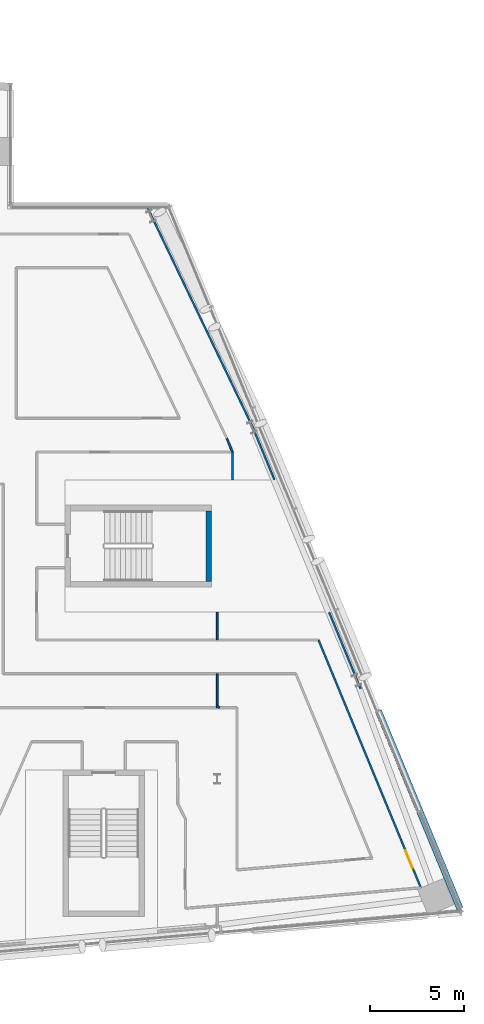
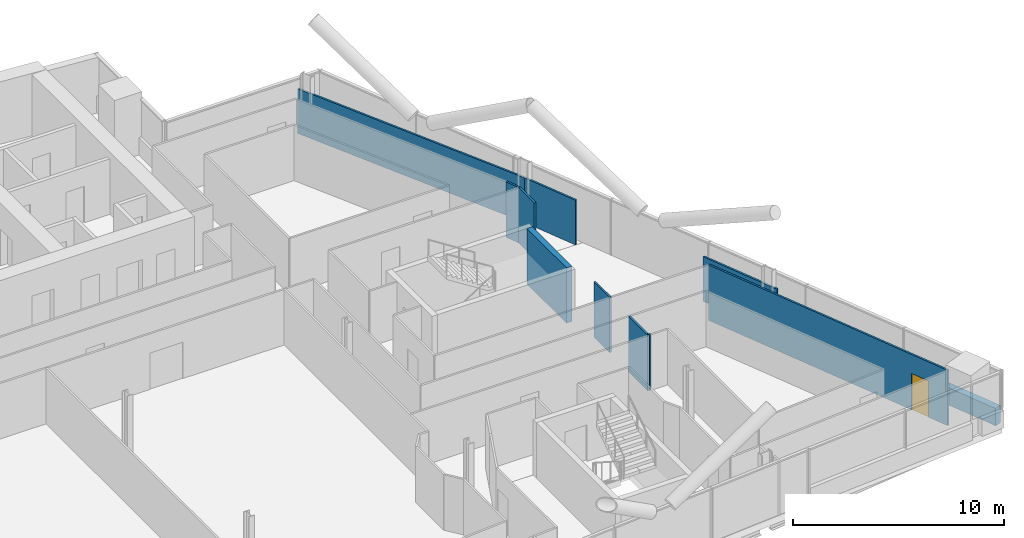
# One storey, part 20 of 28: 11 walls, 1 door, 1 opening.
"""IFC4 building model written with IfcOpenShell, lengths in metres."""

from ifc_helpers import new_model, si_unit, direction, frame, frame_2d, origin, place, context, subcontext, project, spatial, rectangle, extrude, material, layer, layer_set, type_object, element, fill, save


model = new_model("IFC4")

# Units and contexts
model_context = context("Model", 3, precision=1e-05, world=origin(), true_north=direction((0.0, 1.0)))
body_context = subcontext(model_context, "Body", "Model", "MODEL_VIEW")
ifc_project = project(units=[si_unit("LENGTHUNIT", "METRE"), si_unit("AREAUNIT", "SQUARE_METRE"), si_unit("VOLUMEUNIT", "CUBIC_METRE"), si_unit("PLANEANGLEUNIT", "RADIAN"), si_unit("MASSUNIT", "GRAM", prefix="KILO")], contexts=[model_context])

# Site, building, storey
site_placement = place(None, origin())
site = spatial("IfcSite", under=ifc_project, at=site_placement, CompositionType="ELEMENT")
building_placement = place(site_placement, origin())
building = spatial("IfcBuilding", under=site, at=building_placement, Name="Wharfspan Tower", CompositionType="ELEMENT")
storey_placement = place(building_placement, frame((0.0, 0.0, 187.899902)))
storey = spatial("IfcBuildingStorey", under=building, at=storey_placement, Name="L46", CompositionType="ELEMENT", Elevation=187.899902)

# Walls
ifc_material_1 = material(Name="Gypsum board on steel studs", Category="steel")
ifc_layer_1 = layer(ifc_material_1, 0.100098)
ifc_layer_set_1 = layer_set([ifc_layer_1], Name="Gypsum board on steel studs")
wall_type_1 = type_object("IfcWallType", Name="Compartment wall 100 EI 60", PredefinedType="PARTITIONING", material=ifc_layer_set_1)
wall_1_placement = place(storey_placement, frame((72.0, 15.284912, 0.0), z_axis=(0.0, 0.0, 1.0), x_axis=(0.0, 1.0, 0.0)))
element("IfcWall", 1, at=wall_1_placement, inside=storey, type_object=wall_type_1, Name="Partition L46.w115", PredefinedType="PARTITIONING", context=body_context, shape_type="SweptSolid", body=[
    extrude(rectangle(XDim=1.815186, YDim=0.100098, at=frame_2d((0.907715, 0.0))), origin(), (0.0, 0.0, 1.0), 3.200195),
])
wall_2_placement = place(storey_placement, frame((72.0, 18.899902, 0.0), z_axis=(0.0, 0.0, 1.0), x_axis=(0.0, 1.0, 0.0)))
element("IfcWall", 2, at=wall_2_placement, inside=storey, type_object=wall_type_1, Name="Partition L46.w116", PredefinedType="PARTITIONING", context=body_context, shape_type="SweptSolid", body=[
    extrude(rectangle(XDim=1.47998, YDim=0.100098, at=frame_2d((0.73999, 0.0))), origin(), (0.0, 0.0, 1.0), 3.200195),
])
wall_3_placement = place(storey_placement, frame((72.110107, 15.284912, 0.0), z_axis=(0.0, 0.0, 1.0), x_axis=(-0.675728, 0.737158, 0.0)))
element("IfcWall", 3, at=wall_3_placement, inside=storey, type_object=wall_type_1, Name="Partition L46.w118", PredefinedType="PARTITIONING", context=body_context, shape_type="SweptSolid", body=[
    extrude(rectangle(XDim=0.162842, YDim=0.100098, at=frame_2d((0.081543, 0.0))), origin(), (0.0, 0.0, 1.0), 3.200195),
])
wall_4_placement = place(storey_placement, frame((72.810059, 28.899902, 0.0), z_axis=(0.0, 0.0, 1.0), x_axis=(-0.379219, 0.925307, 0.0)))
element("IfcWall", 4, at=wall_4_placement, inside=storey, type_object=wall_type_1, Name="Partition L46.w121", PredefinedType="PARTITIONING", context=body_context, shape_type="SweptSolid", body=[
    extrude(rectangle(XDim=0.77832, YDim=0.100098, at=frame_2d((0.38916, 0.0))), origin(), (0.0, 0.0, 1.0), 3.200195),
])
wall_5_placement = place(storey_placement, frame((72.810059, 27.419922, 0.0), z_axis=(0.0, 0.0, 1.0), x_axis=(0.0, 1.0, 0.0)))
element("IfcWall", 5, at=wall_5_placement, inside=storey, type_object=wall_type_1, Name="Partition L46.w122", PredefinedType="PARTITIONING", context=body_context, shape_type="SweptSolid", body=[
    extrude(rectangle(XDim=1.47998, YDim=0.100098, at=frame_2d((0.73999, 0.0))), origin(), (0.0, 0.0, 1.0), 3.200195),
])

# Wall, opening, door
wall_6_placement = place(storey_placement, frame((82.834961, 5.715088, 0.0), z_axis=(0.0, 0.0, 1.0), x_axis=(-0.381709, 0.924279, 0.0)))
wall_6 = element("IfcWall", 6, at=wall_6_placement, inside=storey, type_object=wall_type_1, Name="Partition L46.w129", PredefinedType="PARTITIONING", context=body_context, shape_type="SweptSolid", body=[
    extrude(rectangle(XDim=14.264893, YDim=0.100098, at=frame_2d((7.132324, 0.0))), origin(), (0.0, 0.0, 1.0), 3.200195),
])
opening_placement = place(wall_6_placement, frame((1.145996, 0.0, 0.0)))
opening = element("IfcOpeningElement", 7, at=opening_placement, cuts=wall_6, Name="Opening C5-08", PredefinedType="OPENING", context=body_context, shape_type="SweptSolid", body=[
    extrude(rectangle(XDim=1.0, YDim=2.100098, at=frame_2d((0.5, 1.050049))), frame((0.0, 0.060059, 0.0), z_axis=(0.0, -1.0, 0.0), x_axis=(1.0, 0.0, 0.0)), (0.0, 0.0, 1.0), 0.120117),
])
ifc_material_2 = material(Name="Fire-rated timber door leaf in steel frame", Category="steel")
door_type = type_object("IfcDoorType", Name="Door 1000 FD30S Left", OperationType="SINGLE_SWING_LEFT", PredefinedType="DOOR", material=ifc_material_2)
door_placement = place(opening_placement, origin())
door = element("IfcDoor", 8, at=door_placement, inside=storey, type_object=door_type, Name="Door C5-08", OperationType="SINGLE_SWING_LEFT", OverallHeight=2.100098, OverallWidth=1.0, PredefinedType="DOOR", context=body_context, shape_type="SweptSolid", body=[
    extrude(rectangle(XDim=1.0, YDim=2.100098, at=frame_2d((0.5, 1.050049))), frame((0.0, 0.024902, 0.0), z_axis=(0.0, -1.0, 0.0), x_axis=(1.0, 0.0, 0.0)), (0.0, 0.0, 1.0), 0.050049),
])
fill(opening, door)

# Walls
ifc_layer_2 = layer(ifc_material_1, 0.100098)
ifc_layer_set_2 = layer_set([ifc_layer_2], Name="Gypsum board on steel studs")
wall_type_2 = type_object("IfcWallType", Name="Partition 100", PredefinedType="PARTITIONING", material=ifc_layer_set_2)
wall_7_placement = place(storey_placement, frame((73.88501, 30.22998, 0.0), z_axis=(0.0, 0.0, 1.0), x_axis=(-0.432032, 0.901863, 0.0)))
element("IfcWall", 9, at=wall_7_placement, inside=storey, type_object=wall_type_2, Name="Partition L46.w125", PredefinedType="PARTITIONING", context=body_context, shape_type="SweptSolid", body=[
    extrude(rectangle(XDim=13.014893, YDim=0.100098, at=frame_2d((6.507324, 0.0))), origin(), (0.0, 0.0, 1.0), 2.580078),
])
wall_8_placement = place(storey_placement, frame((75.046631, 27.419922, 0.0), z_axis=(0.0, 0.0, 1.0), x_axis=(-0.382024, 0.924148, 0.0)))
element("IfcWall", 10, at=wall_8_placement, inside=storey, type_object=wall_type_2, Name="Partition L46.w126", PredefinedType="PARTITIONING", context=body_context, shape_type="SweptSolid", body=[
    extrude(rectangle(XDim=3.040771, YDim=0.100098, at=frame_2d((1.520508, 0.0))), origin(), (0.0, 0.0, 1.0), 2.580078),
])
wall_9_placement = place(storey_placement, frame((79.629883, 16.310059, 0.0), z_axis=(0.0, 0.0, 1.0), x_axis=(-0.380933, 0.9246, 0.0)))
element("IfcWall", 11, at=wall_9_placement, inside=storey, type_object=wall_type_2, Name="Partition L46.w127", PredefinedType="PARTITIONING", context=body_context, shape_type="SweptSolid", body=[
    extrude(rectangle(XDim=4.401611, YDim=0.100098, at=frame_2d((2.200684, 0.0))), origin(), (0.0, 0.0, 1.0), 2.580078),
])
ifc_material_3 = material(Name="Concrete C40/50", Category="concrete")
ifc_layer_3 = layer(ifc_material_3, 0.350098)
ifc_layer_set_3 = layer_set([ifc_layer_3], Name="Concrete C40/50")
wall_type_3 = type_object("IfcWallType", Name="SPANDREL EXPOSED CONCRETE 350", PredefinedType="SOLIDWALL", material=ifc_layer_set_3)
wall_10_placement = place(storey_placement, frame((84.91626, 4.615967, 0.0), z_axis=(0.0, 0.0, 1.0), x_axis=(-0.381598, 0.924328, 0.0)))
element("IfcWall", 12, at=wall_10_placement, inside=storey, type_object=wall_type_3, Name="Spandrel upstand L46 E", PredefinedType="SOLIDWALL", context=body_context, shape_type="SweptSolid", body=[
    extrude(rectangle(XDim=11.360596, YDim=0.350098, at=frame_2d((5.680176, 0.0))), origin(), (0.0, 0.0, 1.0), 1.0),
])
ifc_layer_4 = layer(ifc_material_3, 0.300049)
ifc_layer_set_4 = layer_set([ifc_layer_4], Name="Concrete C40/50")
wall_type_4 = type_object("IfcWallType", Name="Stair core wall 300", PredefinedType="SHEAR", material=ifc_layer_set_4)
wall_11_placement = place(storey_placement, frame((71.554688, 22.024902, 0.0), z_axis=(0.0, 0.0, 1.0), x_axis=(0.0, 1.0, 0.0)))
element("IfcWall", 13, at=wall_11_placement, inside=storey, type_object=wall_type_4, Name="ST6 stair enclosure wall L46", PredefinedType="SHEAR", context=body_context, shape_type="SweptSolid", body=[
    extrude(rectangle(XDim=3.75, YDim=0.300049, at=frame_2d((1.875, 0.0))), origin(), (0.0, 0.0, 1.0), 3.200195),
])

save(model, "model.ifc")
